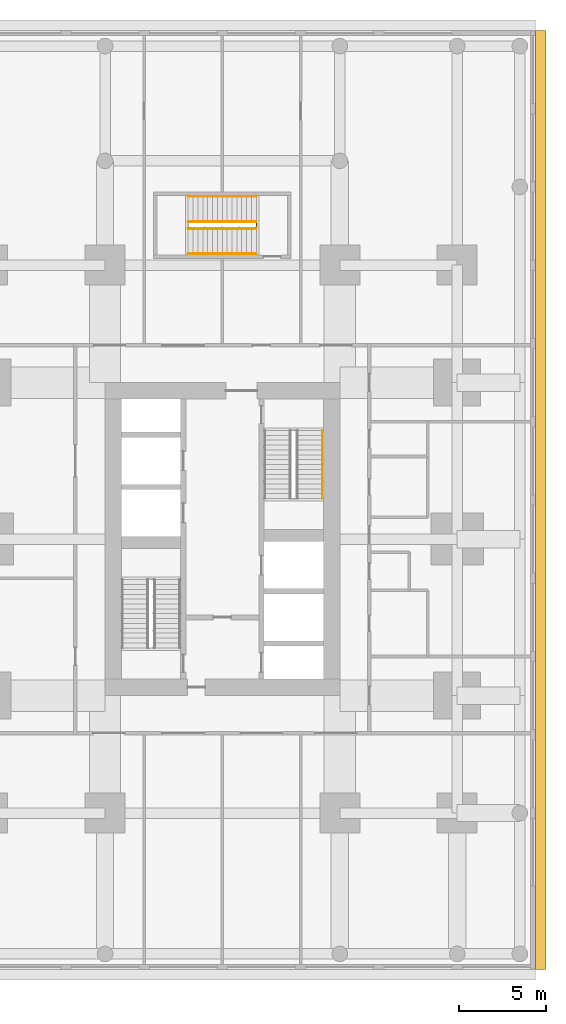
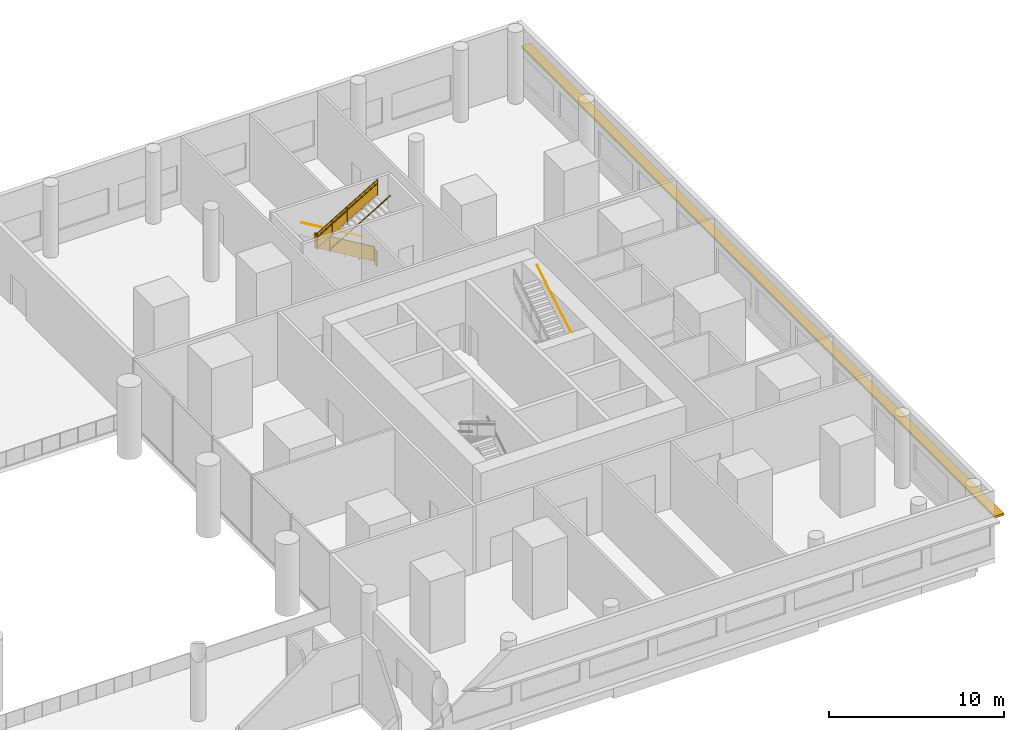
# One storey, part 20 of 20: 6 railings, 1 shading device.
"""IFC4 building model written with IfcOpenShell, lengths in metres."""

from ifc_helpers import new_model, si_unit, direction, frame, origin, origin_2d, place, context, subcontext, project, spatial, polyline, rectangle, circle, outline, extrude, material, layer, layer_set, type_object, element, save


model = new_model("IFC4")

# Units and contexts
model_context = context("Model", 3, precision=1e-05, world=origin(), true_north=direction((0.0, 1.0)))
body_context = subcontext(model_context, "Body", "Model", "MODEL_VIEW")
ifc_project = project(units=[si_unit("LENGTHUNIT", "METRE"), si_unit("AREAUNIT", "SQUARE_METRE"), si_unit("VOLUMEUNIT", "CUBIC_METRE"), si_unit("PLANEANGLEUNIT", "RADIAN"), si_unit("MASSUNIT", "GRAM", prefix="KILO")], contexts=[model_context])

# Site, building, storey
site_placement = place(None, origin())
site = spatial("IfcSite", under=ifc_project, at=site_placement, CompositionType="ELEMENT")
building_placement = place(site_placement, origin())
building = spatial("IfcBuilding", under=site, at=building_placement, Name="Namib Vertical Campus", CompositionType="ELEMENT")
storey_placement = place(building_placement, frame((0.0, 0.0, 16.0)))
storey = spatial("IfcBuildingStorey", under=building, at=storey_placement, Name="L03", CompositionType="ELEMENT", Elevation=16.0)

# Railings
ifc_material_1 = material(Name="Steel handrail", Category="steel")
railing_type_1 = type_object("IfcRailingType", Name="Handrail 900", PredefinedType="HANDRAIL", material=ifc_material_1)
railing_1_placement = place(storey_placement, frame((86.75, 22.580078125, 2.666748046875)))
element("IfcRailing", 1, at=railing_1_placement, inside=storey, type_object=railing_type_1, Name="Handrail HR1 B-S2 L03 2", PredefinedType="HANDRAIL", context=body_context, shape_type="SweptSolid", body=[
    extrude(circle(Radius=0.02392578125, at=origin_2d()), frame((0.0, 0.0, 0.8759765625), z_axis=(0.0, 0.859296244711, 0.511478214419), x_axis=(-1.0, 0.0, 0.0)), (0.0, 0.0, 1.0), 4.561767578125),
    extrude(circle(Radius=0.008056640625, at=origin_2d()), frame((0.0, 0.0, 0.8759765625), z_axis=(1.0, 0.0, 0.0), x_axis=(0.0, 0.0, 1.0)), (0.0, 0.0, 1.0), 0.050048828125),
    extrude(circle(Radius=0.008056640625, at=origin_2d()), frame((0.0, 0.97998046875, 1.459228515625), z_axis=(1.0, 0.0, 0.0), x_axis=(0.0, 0.0, 1.0)), (0.0, 0.0, 1.0), 0.050048828125),
    extrude(circle(Radius=0.008056640625, at=origin_2d()), frame((0.0, 1.9599609375, 2.04248046875), z_axis=(1.0, 0.0, 0.0), x_axis=(0.0, 0.0, 1.0)), (0.0, 0.0, 1.0), 0.050048828125),
    extrude(circle(Radius=0.008056640625, at=origin_2d()), frame((0.0, 2.93994140625, 2.625732421875), z_axis=(1.0, 0.0, 0.0), x_axis=(0.0, 0.0, 1.0)), (0.0, 0.0, 1.0), 0.050048828125),
    extrude(circle(Radius=0.008056640625, at=origin_2d()), frame((0.0, 3.919921875, 3.208984375), z_axis=(1.0, 0.0, 0.0), x_axis=(0.0, 0.0, 1.0)), (0.0, 0.0, 1.0), 0.050048828125),
])
railing_2_placement = place(storey_placement, frame((82.949951171875, 39.949951171875, 0.166748046875)))
element("IfcRailing", 2, at=railing_2_placement, inside=storey, type_object=railing_type_1, Name="Handrail HR1 B-S3 L03 1", PredefinedType="HANDRAIL", context=body_context, shape_type="SweptSolid", body=[
    extrude(circle(Radius=0.02392578125, at=origin_2d()), frame((0.0, 0.0, 0.8759765625), z_axis=(-0.859296244711, 0.0, 0.511478214419), x_axis=(0.0, -1.0, 0.0)), (0.0, 0.0, 1.0), 4.561767578125),
    extrude(circle(Radius=0.008056640625, at=origin_2d()), frame((0.0, 0.0, 0.8759765625), z_axis=(0.0, 1.0, 0.0), x_axis=(0.0, 0.0, 1.0)), (0.0, 0.0, 1.0), 0.050048828125),
    extrude(circle(Radius=0.008056640625, at=origin_2d()), frame((-0.97998046875, 0.0, 1.459228515625), z_axis=(0.0, 1.0, 0.0), x_axis=(0.0, 0.0, 1.0)), (0.0, 0.0, 1.0), 0.050048828125),
    extrude(circle(Radius=0.008056640625, at=origin_2d()), frame((-1.9599609375, 0.0, 2.04248046875), z_axis=(0.0, 1.0, 0.0), x_axis=(0.0, 0.0, 1.0)), (0.0, 0.0, 1.0), 0.050048828125),
    extrude(circle(Radius=0.008056640625, at=origin_2d()), frame((-2.93994140625, 0.0, 2.625732421875), z_axis=(0.0, 1.0, 0.0), x_axis=(0.0, 0.0, 1.0)), (0.0, 0.0, 1.0), 0.050048828125),
    extrude(circle(Radius=0.008056640625, at=origin_2d()), frame((-3.919921875, 0.0, 3.208984375), z_axis=(0.0, 1.0, 0.0), x_axis=(0.0, 0.0, 1.0)), (0.0, 0.0, 1.0), 0.050048828125),
])
railing_3_placement = place(storey_placement, frame((79.030029296875, 36.64990234375, 2.666748046875)))
element("IfcRailing", 3, at=railing_3_placement, inside=storey, type_object=railing_type_1, Name="Handrail HR1 B-S3 L03 2", PredefinedType="HANDRAIL", context=body_context, shape_type="SweptSolid", body=[
    extrude(circle(Radius=0.02392578125, at=origin_2d()), frame((0.0, 0.0, 0.8759765625), z_axis=(0.859296244711, 0.0, 0.511478214419), x_axis=(0.0, 1.0, 0.0)), (0.0, 0.0, 1.0), 4.561767578125),
    extrude(circle(Radius=0.008056640625, at=origin_2d()), frame((0.0, 0.0, 0.8759765625), z_axis=(0.0, -1.0, 0.0), x_axis=(0.0, 0.0, 1.0)), (0.0, 0.0, 1.0), 0.050048828125),
    extrude(circle(Radius=0.008056640625, at=origin_2d()), frame((0.97998046875, 0.0, 1.459228515625), z_axis=(0.0, -1.0, 0.0), x_axis=(0.0, 0.0, 1.0)), (0.0, 0.0, 1.0), 0.050048828125),
    extrude(circle(Radius=0.008056640625, at=origin_2d()), frame((1.9599609375, 0.0, 2.04248046875), z_axis=(0.0, -1.0, 0.0), x_axis=(0.0, 0.0, 1.0)), (0.0, 0.0, 1.0), 0.050048828125),
    extrude(circle(Radius=0.008056640625, at=origin_2d()), frame((2.93994140625, 0.0, 2.625732421875), z_axis=(0.0, -1.0, 0.0), x_axis=(0.0, 0.0, 1.0)), (0.0, 0.0, 1.0), 0.050048828125),
    extrude(circle(Radius=0.008056640625, at=origin_2d()), frame((3.919921875, 0.0, 3.208984375), z_axis=(0.0, -1.0, 0.0), x_axis=(0.0, 0.0, 1.0)), (0.0, 0.0, 1.0), 0.050048828125),
])
railing_4_placement = place(storey_placement, frame((82.949951171875, 38.5, 0.166748046875)))
element("IfcRailing", 4, at=railing_4_placement, inside=storey, type_object=railing_type_1, Name="Handrail HR1 B-S3 L03 1 at the well", PredefinedType="HANDRAIL", context=body_context, shape_type="SweptSolid", body=[
    extrude(circle(Radius=0.02392578125, at=origin_2d()), frame((0.0, 0.0, 0.8759765625), z_axis=(-0.859296244711, 0.0, 0.511478214419), x_axis=(0.0, -1.0, 0.0)), (0.0, 0.0, 1.0), 4.561767578125),
    extrude(circle(Radius=0.008056640625, at=origin_2d()), frame((0.0, 0.0, 0.8759765625), z_axis=(0.0, -1.0, 0.0), x_axis=(0.0, 0.0, 1.0)), (0.0, 0.0, 1.0), 0.0400390625),
    extrude(circle(Radius=0.008056640625, at=origin_2d()), frame((-0.97998046875, 0.0, 1.459228515625), z_axis=(0.0, -1.0, 0.0), x_axis=(0.0, 0.0, 1.0)), (0.0, 0.0, 1.0), 0.0400390625),
    extrude(circle(Radius=0.008056640625, at=origin_2d()), frame((-1.9599609375, 0.0, 2.04248046875), z_axis=(0.0, -1.0, 0.0), x_axis=(0.0, 0.0, 1.0)), (0.0, 0.0, 1.0), 0.0400390625),
    extrude(circle(Radius=0.008056640625, at=origin_2d()), frame((-2.93994140625, 0.0, 2.625732421875), z_axis=(0.0, -1.0, 0.0), x_axis=(0.0, 0.0, 1.0)), (0.0, 0.0, 1.0), 0.0400390625),
    extrude(circle(Radius=0.008056640625, at=origin_2d()), frame((-3.919921875, 0.0, 3.208984375), z_axis=(0.0, -1.0, 0.0), x_axis=(0.0, 0.0, 1.0)), (0.0, 0.0, 1.0), 0.0400390625),
])
railing_5_placement = place(storey_placement, frame((79.030029296875, 38.10009765625, 2.666748046875)))
element("IfcRailing", 5, at=railing_5_placement, inside=storey, type_object=railing_type_1, Name="Handrail HR1 B-S3 L03 2 at the well", PredefinedType="HANDRAIL", context=body_context, shape_type="SweptSolid", body=[
    extrude(circle(Radius=0.02392578125, at=origin_2d()), frame((0.0, 0.0, 0.8759765625), z_axis=(0.859296244711, 0.0, 0.511478214419), x_axis=(0.0, 1.0, 0.0)), (0.0, 0.0, 1.0), 4.561767578125),
    extrude(circle(Radius=0.008056640625, at=origin_2d()), frame((0.0, 0.0, 0.8759765625), z_axis=(0.0, 1.0, 0.0), x_axis=(0.0, 0.0, 1.0)), (0.0, 0.0, 1.0), 0.0400390625),
    extrude(circle(Radius=0.008056640625, at=origin_2d()), frame((0.97998046875, 0.0, 1.459228515625), z_axis=(0.0, 1.0, 0.0), x_axis=(0.0, 0.0, 1.0)), (0.0, 0.0, 1.0), 0.0400390625),
    extrude(circle(Radius=0.008056640625, at=origin_2d()), frame((1.9599609375, 0.0, 2.04248046875), z_axis=(0.0, 1.0, 0.0), x_axis=(0.0, 0.0, 1.0)), (0.0, 0.0, 1.0), 0.0400390625),
    extrude(circle(Radius=0.008056640625, at=origin_2d()), frame((2.93994140625, 0.0, 2.625732421875), z_axis=(0.0, 1.0, 0.0), x_axis=(0.0, 0.0, 1.0)), (0.0, 0.0, 1.0), 0.0400390625),
    extrude(circle(Radius=0.008056640625, at=origin_2d()), frame((3.919921875, 0.0, 3.208984375), z_axis=(0.0, 1.0, 0.0), x_axis=(0.0, 0.0, 1.0)), (0.0, 0.0, 1.0), 0.0400390625),
])
ifc_material_2 = material(Name="Steel balustrade", Category="steel")
railing_type_2 = type_object("IfcRailingType", Name="Stair guard 1100", PredefinedType="GUARDRAIL", material=ifc_material_2)
railing_6_placement = place(storey_placement, frame((82.949951171875, 38.14990234375, 0.0)))
element("IfcRailing", 6, at=railing_6_placement, inside=storey, type_object=railing_type_2, Name="Stair guard GR1 B-S3 L03", PredefinedType="GUARDRAIL", context=body_context, shape_type="SweptSolid", body=[
    extrude(circle(Radius=0.02392578125, at=origin_2d()), frame((0.0, 0.0, 1.076171875), z_axis=(0.0, 1.0, 0.0), x_axis=(-1.0, 0.0, 0.0)), (0.0, 0.0, 1.0), 0.300048828125),
    extrude(outline(polyline([(0.02099609375, 0.050048828125), (0.279052734375, 0.050048828125), (0.279052734375, 1.052001953125), (0.02099609375, 1.052001953125), (0.02099609375, 0.050048828125)])), frame((-0.010009765625, 0.0, 0.0), z_axis=(1.0, 0.0, 0.0), x_axis=(0.0, 1.0, 0.0)), (0.0, 0.0, 1.0), 0.02001953125),
    extrude(circle(Radius=0.02392578125, at=origin_2d()), frame((0.0, 0.300048828125, 1.076171875), z_axis=(0.0, 0.0, 1.0), x_axis=(1.0, 0.0, 0.0)), (0.0, 0.0, 1.0), 0.166748046875),
    extrude(circle(Radius=0.02392578125, at=origin_2d()), frame((0.0, 0.300048828125, 1.24267578125), z_axis=(-0.859296244711, 0.0, 0.511478214419), x_axis=(0.0, -1.0, 0.0)), (0.0, 0.0, 1.0), 4.561767578125),
    extrude(outline(polyline([(0.02099609375, 0.0625), (3.89892578125, 2.370849609375), (3.89892578125, 3.372802734375), (0.02099609375, 1.064453125), (0.02099609375, 0.0625)])), frame((0.0, 0.2900390625, 0.166748046875), z_axis=(0.0, 1.0, 0.0), x_axis=(-1.0, 0.0, 0.0)), (0.0, 0.0, 1.0), 0.02001953125),
    extrude(circle(Radius=0.02392578125, at=origin_2d()), frame((-3.919921875, 0.300048828125, 3.576171875), z_axis=(0.0, -1.0, 0.0), x_axis=(1.0, 0.0, 0.0)), (0.0, 0.0, 1.0), 0.300048828125),
    extrude(outline(polyline([(0.02099609375, 0.050048828125), (0.279052734375, 0.050048828125), (0.279052734375, 1.052001953125), (0.02099609375, 1.052001953125), (0.02099609375, 0.050048828125)])), frame((-3.909912109375, 0.300048828125, 2.5), z_axis=(-1.0, 0.0, 0.0), x_axis=(0.0, -1.0, 0.0)), (0.0, 0.0, 1.0), 0.02001953125),
    extrude(circle(Radius=0.02392578125, at=origin_2d()), frame((-3.919921875, 0.0, 3.576171875), z_axis=(0.0, 0.0, 1.0), x_axis=(1.0, 0.0, 0.0)), (0.0, 0.0, 1.0), 0.166748046875),
    extrude(circle(Radius=0.02392578125, at=origin_2d()), frame((-3.919921875, 0.0, 3.74267578125), z_axis=(0.859296244711, 0.0, 0.511478214419), x_axis=(0.0, 1.0, 0.0)), (0.0, 0.0, 1.0), 4.561767578125),
    extrude(outline(polyline([(0.02099609375, 0.0625), (3.89892578125, 2.370849609375), (3.89892578125, 3.372802734375), (0.02099609375, 1.064453125), (0.02099609375, 0.0625)])), frame((-3.919921875, 0.010009765625, 2.666748046875), z_axis=(0.0, -1.0, 0.0), x_axis=(1.0, 0.0, 0.0)), (0.0, 0.0, 1.0), 0.02001953125),
    extrude(circle(Radius=0.02392578125, at=origin_2d()), frame((0.0, 0.0, 6.076171875), z_axis=(1.0, 0.0, 0.0), x_axis=(0.0, 1.0, 0.0)), (0.0, 0.0, 1.0), 0.050048828125),
    extrude(outline(polyline([(0.02099609375, 0.050048828125), (0.029052734375, 0.050048828125), (0.029052734375, 1.052001953125), (0.02099609375, 1.052001953125), (0.02099609375, 0.050048828125)])), frame((0.0, 0.010009765625, 5.0), z_axis=(0.0, -1.0, 0.0), x_axis=(1.0, 0.0, 0.0)), (0.0, 0.0, 1.0), 0.02001953125),
    extrude(circle(Radius=0.02099609375, at=origin_2d()), origin(), (0.0, 0.0, 1.0), 1.052001953125),
    extrude(circle(Radius=0.02099609375, at=origin_2d()), frame((0.0, 0.300048828125, 0.166748046875)), (0.0, 0.0, 1.0), 1.052001953125),
    extrude(circle(Radius=0.02099609375, at=origin_2d()), frame((-0.97998046875, 0.300048828125, 0.666748046875)), (0.0, 0.0, 1.0), 1.13525390625),
    extrude(circle(Radius=0.02099609375, at=origin_2d()), frame((-1.9599609375, 0.300048828125, 1.166748046875)), (0.0, 0.0, 1.0), 1.218505859375),
    extrude(circle(Radius=0.02099609375, at=origin_2d()), frame((-2.93994140625, 0.300048828125, 1.83349609375)), (0.0, 0.0, 1.0), 1.13525390625),
    extrude(circle(Radius=0.02099609375, at=origin_2d()), frame((-3.919921875, 0.300048828125, 2.5)), (0.0, 0.0, 1.0), 1.052001953125),
    extrude(circle(Radius=0.02099609375, at=origin_2d()), frame((-3.919921875, 0.0, 2.666748046875)), (0.0, 0.0, 1.0), 1.052001953125),
    extrude(circle(Radius=0.02099609375, at=origin_2d()), frame((-2.93994140625, 0.0, 3.166748046875)), (0.0, 0.0, 1.0), 1.13525390625),
    extrude(circle(Radius=0.02099609375, at=origin_2d()), frame((-1.9599609375, 0.0, 3.666748046875)), (0.0, 0.0, 1.0), 1.218505859375),
    extrude(circle(Radius=0.02099609375, at=origin_2d()), frame((-0.97998046875, 0.0, 4.33349609375)), (0.0, 0.0, 1.0), 1.13525390625),
    extrude(circle(Radius=0.02099609375, at=origin_2d()), frame((0.0, 0.0, 5.0)), (0.0, 0.0, 1.0), 1.052001953125),
    extrude(circle(Radius=0.02099609375, at=origin_2d()), frame((0.050048828125, 0.0, 5.0)), (0.0, 0.0, 1.0), 1.052001953125),
])

# Shading device
ifc_material_3 = material(Name="Concrete C40/50 precast", Category="concrete")
ifc_layer = layer(ifc_material_3, 0.14990234375)
ifc_layer_set = layer_set([ifc_layer], Name="Concrete C40/50 precast")
shading_device_type = type_object("IfcShadingDeviceType", Name="Sunshade hood 600", PredefinedType="SHUTTER", material=ifc_layer_set)
shading_device_placement = place(storey_placement, frame((99.300048828125, 22.5, 2.75), z_axis=(0.0, 0.0, 1.0), x_axis=(0.0, 1.0, 0.0)))
element("IfcShadingDevice", 7, at=shading_device_placement, inside=storey, type_object=shading_device_type, Name="Sunshade SH3 L03 2", PredefinedType="SHUTTER", context=body_context, shape_type="SweptSolid", body=[
    extrude(rectangle(XDim=54.0, YDim=0.60009765625, at=origin_2d()), origin(), (0.0, 0.0, 1.0), 0.14990234375),
])

save(model, "model.ifc")
